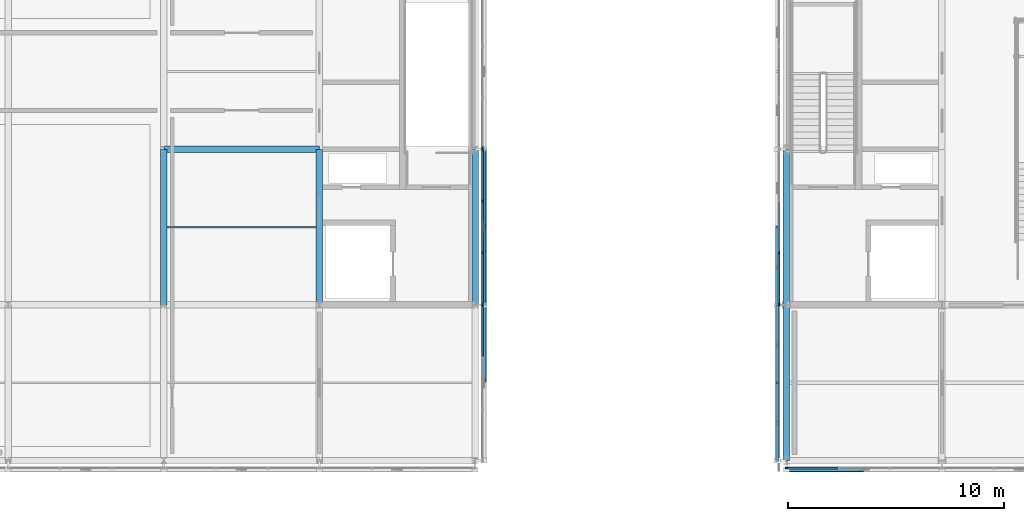
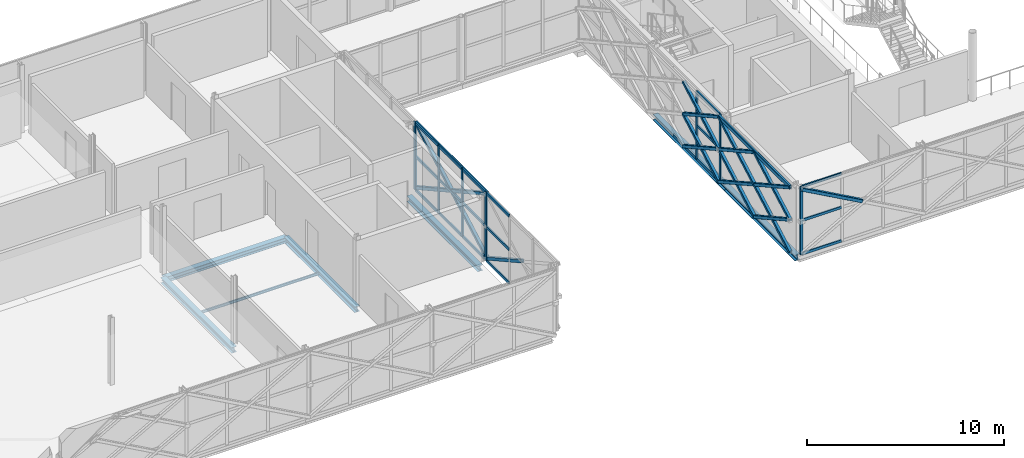
# One storey, part 23 of 126: 53 members, 7 beams, 5 elements without a shape of their own.
"""IFC4 building model written with IfcOpenShell, lengths in metres."""

from ifc_helpers import new_model, si_unit, direction, frame, origin, origin_2d, place, context, subcontext, project, spatial, rectangle, hollow_rectangle, i_section, extrude, material, material_profile, profile_set, type_object, element, aggregate, save


model = new_model("IFC4")

# Units and contexts
model_context = context("Model", 3, precision=1e-05, world=origin(), true_north=direction((0.0, 1.0)))
body_context = subcontext(model_context, "Body", "Model", "MODEL_VIEW")
ifc_project = project(units=[si_unit("LENGTHUNIT", "METRE"), si_unit("AREAUNIT", "SQUARE_METRE"), si_unit("VOLUMEUNIT", "CUBIC_METRE"), si_unit("PLANEANGLEUNIT", "RADIAN"), si_unit("MASSUNIT", "GRAM", prefix="KILO")], contexts=[model_context])

# Site, building, storey
site_placement = place(None, origin())
site = spatial("IfcSite", under=ifc_project, at=site_placement, CompositionType="ELEMENT")
building_placement = place(site_placement, origin())
building = spatial("IfcBuilding", under=site, at=building_placement, Name="Zlatovets Crest Museum", CompositionType="ELEMENT")
storey_placement = place(building_placement, frame((0.0, 0.0, 8.699951171875)))
storey = spatial("IfcBuildingStorey", under=building, at=storey_placement, Name="L02", CompositionType="ELEMENT", Elevation=8.699951171875)

# Beams
ifc_material_1 = material(Name="Structural steel S355J2", Category="steel")
ifc_material_profile_1 = material_profile(ifc_material_1, i_section(OverallWidth=0.300048828125, OverallDepth=0.35009765625, WebThickness=0.010009765625, FlangeThickness=0.017578125, FilletRadius=0.027099609375, at=origin_2d()), Name="HEA 360")
ifc_profile_set_1 = profile_set([ifc_material_profile_1], Name="Structural steel S355J2")
beam_type_1 = type_object("IfcBeamType", Name="Beam_B-03", PredefinedType="BEAM", material=ifc_profile_set_1)
for number, where, z_axis, x_axis, name in (
    (1, (57.60009765625, 0.0, -0.39501953125), (0.0, 1.0, 0.0), (-1.0, 0.0, 0.0), "V2 L02 Grid Beam B-03"),
    (2, (57.60009765625, 7.199951171875, -0.39501953125), (0.0, 1.0, 0.0), (-1.0, 0.0, 0.0), "V2 L02 Grid Beam B-03"),
    (3, (28.800048828125, 7.199951171875, -0.39501953125), (0.0, 1.0, 0.0), (-1.0, 0.0, 0.0), "V3 L02 Grid Beam B-03"),
    (4, (36.0, 7.199951171875, -0.39501953125), (0.0, 1.0, 0.0), (-1.0, 0.0, 0.0), "V3 L02 Grid Beam B-03"),
    (5, (43.199951171875, 7.199951171875, -0.39501953125), (0.0, 1.0, 0.0), (-1.0, 0.0, 0.0), "V3 L02 Grid Beam B-03"),
):
    element("IfcBeam", number, at=place(storey_placement, frame(where, z_axis=z_axis, x_axis=x_axis)), inside=storey, type_object=beam_type_1, Name=name, PredefinedType="BEAM", context=body_context, shape_type="SweptSolid", body=[
        extrude(i_section(OverallWidth=0.300048828125, OverallDepth=0.35009765625, WebThickness=0.010009765625, FlangeThickness=0.017578125, FilletRadius=0.027099609375, at=origin_2d()), origin(), (0.0, 0.0, 1.0), 7.199951171875),
    ])
ifc_material_profile_2 = material_profile(ifc_material_1, i_section(OverallWidth=0.300048828125, OverallDepth=0.330078125, WebThickness=0.009521484375, FlangeThickness=0.0166015625, FilletRadius=0.027099609375, at=origin_2d()), Name="HEA 340")
ifc_profile_set_2 = profile_set([ifc_material_profile_2], Name="Structural steel S355J2")
beam_type_2 = type_object("IfcBeamType", Name="Beam_B-11", PredefinedType="BEAM", material=ifc_profile_set_2)
beam_1_placement = place(storey_placement, frame((28.800048828125, 14.39990234375, -0.385009765625), z_axis=(1.0, 0.0, 0.0), x_axis=(0.0, 1.0, 0.0)))
element("IfcBeam", 6, at=beam_1_placement, inside=storey, type_object=beam_type_2, Name="V3 L02 Primary Girder B-11", PredefinedType="BEAM", context=body_context, shape_type="SweptSolid", body=[
    extrude(i_section(OverallWidth=0.300048828125, OverallDepth=0.330078125, WebThickness=0.009521484375, FlangeThickness=0.0166015625, FilletRadius=0.027099609375, at=origin_2d()), origin(), (0.0, 0.0, 1.0), 7.199951171875),
])
ifc_material_profile_3 = material_profile(ifc_material_1, i_section(OverallWidth=0.08203125, OverallDepth=0.159912109375, WebThickness=0.0048828125, FlangeThickness=0.00732421875, FilletRadius=0.009033203125, at=origin_2d()), Name="IPE 160")
ifc_profile_set_3 = profile_set([ifc_material_profile_3], Name="Structural steel S355J2")
beam_type_3 = type_object("IfcBeamType", Name="Beam_J-12", PredefinedType="JOIST", material=ifc_profile_set_3)
beam_2_placement = place(storey_placement, frame((28.949951171875, 10.800048828125, -0.300048828125), z_axis=(1.0, 0.0, 0.0), x_axis=(0.0, 1.0, 0.0)))
element("IfcBeam", 7, at=beam_2_placement, inside=storey, type_object=beam_type_3, Name="V3 L02 Composite Joist J-12", PredefinedType="JOIST", context=body_context, shape_type="SweptSolid", body=[
    extrude(i_section(OverallWidth=0.08203125, OverallDepth=0.159912109375, WebThickness=0.0048828125, FlangeThickness=0.00732421875, FilletRadius=0.009033203125, at=origin_2d()), origin(), (0.0, 0.0, 1.0), 6.900146484375),
])

# Curtain wall, member
ifc_material_2 = material(Name="Bronze-anodised aluminium and low-E triple glass", Category="aluminium")
curtain_wall_type_1 = type_object("IfcCurtainWallType", Name="CW_CW-V2-L02-M0", PredefinedType="NOTDEFINED", material=ifc_material_2)
curtain_wall_1_placement = place(storey_placement, origin())
curtain_wall_1 = element("IfcCurtainWall", 8, at=curtain_wall_1_placement, inside=storey, type_object=curtain_wall_type_1, Name="V2 L02 Secession Foyer Clear Curtain Wall", PredefinedType="NOTDEFINED")
ifc_material_3 = material(Name="Bronze-anodised aluminium EN AW-6060", Category="aluminium")
ifc_material_profile_4 = material_profile(ifc_material_3, rectangle(XDim=0.080078125, YDim=0.159912109375, at=origin_2d()), Name="ALU 80x160")
ifc_profile_set_4 = profile_set([ifc_material_profile_4], Name="Bronze-anodised aluminium EN AW-6060")
member_type_1 = type_object("IfcMemberType", Name="CWMull_M1", PredefinedType="MULLION", material=ifc_profile_set_4)
member_1_placement = place(storey_placement, frame((57.6298828125, -0.340087890625, 0.0), z_axis=(0.0, 0.0, 1.0), x_axis=(0.0, 1.0, 0.0)))
member_1 = element("IfcMember", 9, at=member_1_placement, type_object=member_type_1, Name="CW-V2-L02-M0 mullion 1", PredefinedType="MULLION", context=body_context, shape_type="SweptSolid", body=[
    extrude(rectangle(XDim=0.080078125, YDim=0.159912109375, at=origin_2d()), origin(), (0.0, 0.0, 1.0), 4.199951171875),
])

# Curtain wall, members
curtain_wall_2_placement = place(storey_placement, origin())
curtain_wall_2 = element("IfcCurtainWall", 10, at=curtain_wall_2_placement, inside=storey, type_object=curtain_wall_type_1, Name="V2 L02 Expressed Core Glazed Facade", PredefinedType="NOTDEFINED")
member_2_placement = place(storey_placement, frame((57.260009765625, 9.60009765625, 0.0), z_axis=(0.0, 0.0, 1.0), x_axis=(1.0, 0.0, 0.0)))
member_2 = element("IfcMember", 11, at=member_2_placement, type_object=member_type_1, Name="CW-V2-L02-M0 mullion 3", PredefinedType="MULLION", context=body_context, shape_type="SweptSolid", body=[
    extrude(rectangle(XDim=0.080078125, YDim=0.159912109375, at=origin_2d()), origin(), (0.0, 0.0, 1.0), 4.199951171875),
])
member_3_placement = place(storey_placement, frame((57.260009765625, 7.22998046875, 0.0), z_axis=(0.0, 0.0, 1.0), x_axis=(1.0, 0.0, 0.0)))
member_3 = element("IfcMember", 12, at=member_3_placement, type_object=member_type_1, Name="CW-V2-L02-M0 mullion 4", PredefinedType="MULLION", context=body_context, shape_type="SweptSolid", body=[
    extrude(rectangle(XDim=0.080078125, YDim=0.159912109375, at=origin_2d()), origin(), (0.0, 0.0, 1.0), 4.199951171875),
])

# Curtain wall, member
curtain_wall_type_2 = type_object("IfcCurtainWallType", Name="CW_CW-V3-L02-M2", PredefinedType="NOTDEFINED", material=ifc_material_2)
curtain_wall_3_placement = place(storey_placement, origin())
curtain_wall_3 = element("IfcCurtainWall", 13, at=curtain_wall_3_placement, inside=storey, type_object=curtain_wall_type_2, Name="V3 L02 Secession Foyer Clear Curtain Wall", PredefinedType="NOTDEFINED")
member_4_placement = place(storey_placement, frame((43.5400390625, 7.169921875, 0.0), z_axis=(0.0, 0.0, 1.0), x_axis=(-1.0, 0.0, 0.0)))
member_4 = element("IfcMember", 14, at=member_4_placement, type_object=member_type_1, Name="CW-V3-L02-M2 mullion 4", PredefinedType="MULLION", context=body_context, shape_type="SweptSolid", body=[
    extrude(rectangle(XDim=0.080078125, YDim=0.159912109375, at=origin_2d()), origin(), (0.0, 0.0, 1.0), 4.199951171875),
])

# Curtain wall, members
curtain_wall_type_3 = type_object("IfcCurtainWallType", Name="CW_CW-V3-L02-M3", PredefinedType="NOTDEFINED", material=ifc_material_2)
curtain_wall_4_placement = place(storey_placement, origin())
curtain_wall_4 = element("IfcCurtainWall", 15, at=curtain_wall_4_placement, inside=storey, type_object=curtain_wall_type_3, Name="V3 L02 Expressed Core Glazed Facade", PredefinedType="NOTDEFINED")
member_5_placement = place(storey_placement, frame((43.5400390625, 7.22998046875, 0.0), z_axis=(0.0, 0.0, 1.0), x_axis=(-1.0, 0.0, 0.0)))
member_5 = element("IfcMember", 16, at=member_5_placement, type_object=member_type_1, Name="CW-V3-L02-M3 mullion 1", PredefinedType="MULLION", context=body_context, shape_type="SweptSolid", body=[
    extrude(rectangle(XDim=0.080078125, YDim=0.159912109375, at=origin_2d()), origin(), (0.0, 0.0, 1.0), 4.199951171875),
])
member_6_placement = place(storey_placement, frame((43.5400390625, 9.60009765625, 0.0), z_axis=(0.0, 0.0, 1.0), x_axis=(-1.0, 0.0, 0.0)))
member_6 = element("IfcMember", 17, at=member_6_placement, type_object=member_type_1, Name="CW-V3-L02-M3 mullion 2", PredefinedType="MULLION", context=body_context, shape_type="SweptSolid", body=[
    extrude(rectangle(XDim=0.080078125, YDim=0.159912109375, at=origin_2d()), origin(), (0.0, 0.0, 1.0), 4.199951171875),
])
member_7_placement = place(storey_placement, frame((43.5400390625, 12.0, 0.0), z_axis=(0.0, 0.0, 1.0), x_axis=(-1.0, 0.0, 0.0)))
member_7 = element("IfcMember", 18, at=member_7_placement, type_object=member_type_1, Name="CW-V3-L02-M3 mullion 3", PredefinedType="MULLION", context=body_context, shape_type="SweptSolid", body=[
    extrude(rectangle(XDim=0.080078125, YDim=0.159912109375, at=origin_2d()), origin(), (0.0, 0.0, 1.0), 4.199951171875),
])
member_8_placement = place(storey_placement, frame((43.5400390625, 14.3701171875, 0.0), z_axis=(0.0, 0.0, 1.0), x_axis=(-1.0, 0.0, 0.0)))
member_8 = element("IfcMember", 19, at=member_8_placement, type_object=member_type_1, Name="CW-V3-L02-M3 mullion 4", PredefinedType="MULLION", context=body_context, shape_type="SweptSolid", body=[
    extrude(rectangle(XDim=0.080078125, YDim=0.159912109375, at=origin_2d()), origin(), (0.0, 0.0, 1.0), 4.199951171875),
])

# Curtain wall, member
curtain_wall_type_4 = type_object("IfcCurtainWallType", Name="CW_CW-V3-L02-M0", PredefinedType="NOTDEFINED", material=ifc_material_2)
curtain_wall_5_placement = place(storey_placement, origin())
curtain_wall_5 = element("IfcCurtainWall", 20, at=curtain_wall_5_placement, inside=storey, type_object=curtain_wall_type_4, Name="V3 L02 Expressed Core Glazed Facade", PredefinedType="NOTDEFINED")
member_9_placement = place(storey_placement, frame((43.5400390625, 14.429931640625, 0.0), z_axis=(0.0, 0.0, 1.0), x_axis=(-1.0, 0.0, 0.0)))
member_9 = element("IfcMember", 21, at=member_9_placement, type_object=member_type_1, Name="CW-V3-L02-M0 mullion 1", PredefinedType="MULLION", context=body_context, shape_type="SweptSolid", body=[
    extrude(rectangle(XDim=0.080078125, YDim=0.159912109375, at=origin_2d()), origin(), (0.0, 0.0, 1.0), 4.199951171875),
])
aggregate(curtain_wall_5, [member_9])

# Member
ifc_material_profile_5 = material_profile(ifc_material_3, rectangle(XDim=0.080078125, YDim=0.159912109375, at=origin_2d()), Name="ALU 80x160")
ifc_profile_set_5 = profile_set([ifc_material_profile_5], Name="Bronze-anodised aluminium EN AW-6060")
member_type_2 = type_object("IfcMemberType", Name="CWTrans_T1", PredefinedType="USERDEFINED", material=ifc_profile_set_5)
member_10_placement = place(storey_placement, frame((57.659912109375, -0.340087890625, 0.030029296875), z_axis=(1.0, 0.0, 0.0), x_axis=(0.0, 1.0, 0.0)))
member_10 = element("IfcMember", 22, at=member_10_placement, type_object=member_type_2, Name="CW-V2-L02-M0 transom 1.1", ObjectType="TRANSOM", PredefinedType="USERDEFINED", context=body_context, shape_type="SweptSolid", body=[
    extrude(rectangle(XDim=0.080078125, YDim=0.159912109375, at=origin_2d()), origin(), (0.0, 0.0, 1.0), 2.31005859375),
])

member_11_placement = place(storey_placement, frame((57.659912109375, -0.340087890625, 2.10009765625), z_axis=(1.0, 0.0, 0.0), x_axis=(0.0, 1.0, 0.0)))
member_11 = element("IfcMember", 23, at=member_11_placement, type_object=member_type_2, Name="CW-V2-L02-M0 transom 1.2", ObjectType="TRANSOM", PredefinedType="USERDEFINED", context=body_context, shape_type="SweptSolid", body=[
    extrude(rectangle(XDim=0.080078125, YDim=0.159912109375, at=origin_2d()), origin(), (0.0, 0.0, 1.0), 2.31005859375),
])

member_12_placement = place(storey_placement, frame((57.659912109375, -0.340087890625, 4.170166015625), z_axis=(1.0, 0.0, 0.0), x_axis=(0.0, 1.0, 0.0)))
member_12 = element("IfcMember", 24, at=member_12_placement, type_object=member_type_2, Name="CW-V2-L02-M0 transom 1.3", ObjectType="TRANSOM", PredefinedType="USERDEFINED", context=body_context, shape_type="SweptSolid", body=[
    extrude(rectangle(XDim=0.080078125, YDim=0.159912109375, at=origin_2d()), origin(), (0.0, 0.0, 1.0), 2.31005859375),
])

aggregate(curtain_wall_1, [member_1, member_10, member_11, member_12])

member_13_placement = place(storey_placement, frame((57.260009765625, 11.969970703125, 0.030029296875), z_axis=(0.0, -1.0, 0.0), x_axis=(1.0, 0.0, 0.0)))
member_13 = element("IfcMember", 25, at=member_13_placement, type_object=member_type_2, Name="CW-V2-L02-M0 transom 2.1", ObjectType="TRANSOM", PredefinedType="USERDEFINED", context=body_context, shape_type="SweptSolid", body=[
    extrude(rectangle(XDim=0.080078125, YDim=0.159912109375, at=origin_2d()), origin(), (0.0, 0.0, 1.0), 2.340087890625),
])

member_14_placement = place(storey_placement, frame((57.260009765625, 9.570068359375, 0.030029296875), z_axis=(0.0, -1.0, 0.0), x_axis=(1.0, 0.0, 0.0)))
member_14 = element("IfcMember", 26, at=member_14_placement, type_object=member_type_2, Name="CW-V2-L02-M0 transom 3.1", ObjectType="TRANSOM", PredefinedType="USERDEFINED", context=body_context, shape_type="SweptSolid", body=[
    extrude(rectangle(XDim=0.080078125, YDim=0.159912109375, at=origin_2d()), origin(), (0.0, 0.0, 1.0), 2.31005859375),
])

member_15_placement = place(storey_placement, frame((57.260009765625, 9.570068359375, 2.10009765625), z_axis=(0.0, -1.0, 0.0), x_axis=(1.0, 0.0, 0.0)))
member_15 = element("IfcMember", 27, at=member_15_placement, type_object=member_type_2, Name="CW-V2-L02-M0 transom 3.2", ObjectType="TRANSOM", PredefinedType="USERDEFINED", context=body_context, shape_type="SweptSolid", body=[
    extrude(rectangle(XDim=0.080078125, YDim=0.159912109375, at=origin_2d()), origin(), (0.0, 0.0, 1.0), 2.31005859375),
])

member_16_placement = place(storey_placement, frame((57.260009765625, 9.570068359375, 4.170166015625), z_axis=(0.0, -1.0, 0.0), x_axis=(1.0, 0.0, 0.0)))
member_16 = element("IfcMember", 28, at=member_16_placement, type_object=member_type_2, Name="CW-V2-L02-M0 transom 3.3", ObjectType="TRANSOM", PredefinedType="USERDEFINED", context=body_context, shape_type="SweptSolid", body=[
    extrude(rectangle(XDim=0.080078125, YDim=0.159912109375, at=origin_2d()), origin(), (0.0, 0.0, 1.0), 2.31005859375),
])

aggregate(curtain_wall_2, [member_2, member_3, member_13, member_14, member_15, member_16])

member_17_placement = place(storey_placement, frame((43.5400390625, 4.830078125, 0.030029296875), z_axis=(0.0, 1.0, 0.0), x_axis=(-1.0, 0.0, 0.0)))
member_17 = element("IfcMember", 29, at=member_17_placement, type_object=member_type_2, Name="CW-V3-L02-M2 transom 3.1", ObjectType="TRANSOM", PredefinedType="USERDEFINED", context=body_context, shape_type="SweptSolid", body=[
    extrude(rectangle(XDim=0.080078125, YDim=0.159912109375, at=origin_2d()), origin(), (0.0, 0.0, 1.0), 2.309814453125),
])

member_18_placement = place(storey_placement, frame((43.5400390625, 4.830078125, 2.10009765625), z_axis=(0.0, 1.0, 0.0), x_axis=(-1.0, 0.0, 0.0)))
member_18 = element("IfcMember", 30, at=member_18_placement, type_object=member_type_2, Name="CW-V3-L02-M2 transom 3.2", ObjectType="TRANSOM", PredefinedType="USERDEFINED", context=body_context, shape_type="SweptSolid", body=[
    extrude(rectangle(XDim=0.080078125, YDim=0.159912109375, at=origin_2d()), origin(), (0.0, 0.0, 1.0), 2.309814453125),
])

member_19_placement = place(storey_placement, frame((43.5400390625, 4.830078125, 4.170166015625), z_axis=(0.0, 1.0, 0.0), x_axis=(-1.0, 0.0, 0.0)))
member_19 = element("IfcMember", 31, at=member_19_placement, type_object=member_type_2, Name="CW-V3-L02-M2 transom 3.3", ObjectType="TRANSOM", PredefinedType="USERDEFINED", context=body_context, shape_type="SweptSolid", body=[
    extrude(rectangle(XDim=0.080078125, YDim=0.159912109375, at=origin_2d()), origin(), (0.0, 0.0, 1.0), 2.309814453125),
])

aggregate(curtain_wall_3, [member_4, member_17, member_18, member_19])

member_20_placement = place(storey_placement, frame((43.5400390625, 7.260009765625, 0.030029296875), z_axis=(0.0, 1.0, 0.0), x_axis=(-1.0, 0.0, 0.0)))
member_20 = element("IfcMember", 32, at=member_20_placement, type_object=member_type_2, Name="CW-V3-L02-M3 transom 1.1", ObjectType="TRANSOM", PredefinedType="USERDEFINED", context=body_context, shape_type="SweptSolid", body=[
    extrude(rectangle(XDim=0.080078125, YDim=0.159912109375, at=origin_2d()), origin(), (0.0, 0.0, 1.0), 2.31005859375),
])

member_21_placement = place(storey_placement, frame((43.5400390625, 7.260009765625, 2.10009765625), z_axis=(0.0, 1.0, 0.0), x_axis=(-1.0, 0.0, 0.0)))
member_21 = element("IfcMember", 33, at=member_21_placement, type_object=member_type_2, Name="CW-V3-L02-M3 transom 1.2", ObjectType="TRANSOM", PredefinedType="USERDEFINED", context=body_context, shape_type="SweptSolid", body=[
    extrude(rectangle(XDim=0.080078125, YDim=0.159912109375, at=origin_2d()), origin(), (0.0, 0.0, 1.0), 2.31005859375),
])

member_22_placement = place(storey_placement, frame((43.5400390625, 7.260009765625, 4.170166015625), z_axis=(0.0, 1.0, 0.0), x_axis=(-1.0, 0.0, 0.0)))
member_22 = element("IfcMember", 34, at=member_22_placement, type_object=member_type_2, Name="CW-V3-L02-M3 transom 1.3", ObjectType="TRANSOM", PredefinedType="USERDEFINED", context=body_context, shape_type="SweptSolid", body=[
    extrude(rectangle(XDim=0.080078125, YDim=0.159912109375, at=origin_2d()), origin(), (0.0, 0.0, 1.0), 2.31005859375),
])

member_23_placement = place(storey_placement, frame((43.5400390625, 9.6298828125, 0.030029296875), z_axis=(0.0, 1.0, 0.0), x_axis=(-1.0, 0.0, 0.0)))
member_23 = element("IfcMember", 35, at=member_23_placement, type_object=member_type_2, Name="CW-V3-L02-M3 transom 2.1", ObjectType="TRANSOM", PredefinedType="USERDEFINED", context=body_context, shape_type="SweptSolid", body=[
    extrude(rectangle(XDim=0.080078125, YDim=0.159912109375, at=origin_2d()), origin(), (0.0, 0.0, 1.0), 2.340087890625),
])

member_24_placement = place(storey_placement, frame((43.5400390625, 9.6298828125, 2.10009765625), z_axis=(0.0, 1.0, 0.0), x_axis=(-1.0, 0.0, 0.0)))
member_24 = element("IfcMember", 36, at=member_24_placement, type_object=member_type_2, Name="CW-V3-L02-M3 transom 2.2", ObjectType="TRANSOM", PredefinedType="USERDEFINED", context=body_context, shape_type="SweptSolid", body=[
    extrude(rectangle(XDim=0.080078125, YDim=0.159912109375, at=origin_2d()), origin(), (0.0, 0.0, 1.0), 2.340087890625),
])

member_25_placement = place(storey_placement, frame((43.5400390625, 9.6298828125, 4.170166015625), z_axis=(0.0, 1.0, 0.0), x_axis=(-1.0, 0.0, 0.0)))
member_25 = element("IfcMember", 37, at=member_25_placement, type_object=member_type_2, Name="CW-V3-L02-M3 transom 2.3", ObjectType="TRANSOM", PredefinedType="USERDEFINED", context=body_context, shape_type="SweptSolid", body=[
    extrude(rectangle(XDim=0.080078125, YDim=0.159912109375, at=origin_2d()), origin(), (0.0, 0.0, 1.0), 2.340087890625),
])

member_26_placement = place(storey_placement, frame((43.5400390625, 12.030029296875, 0.030029296875), z_axis=(0.0, 1.0, 0.0), x_axis=(-1.0, 0.0, 0.0)))
member_26 = element("IfcMember", 38, at=member_26_placement, type_object=member_type_2, Name="CW-V3-L02-M3 transom 3.1", ObjectType="TRANSOM", PredefinedType="USERDEFINED", context=body_context, shape_type="SweptSolid", body=[
    extrude(rectangle(XDim=0.080078125, YDim=0.159912109375, at=origin_2d()), origin(), (0.0, 0.0, 1.0), 2.31005859375),
])

member_27_placement = place(storey_placement, frame((43.5400390625, 12.030029296875, 2.10009765625), z_axis=(0.0, 1.0, 0.0), x_axis=(-1.0, 0.0, 0.0)))
member_27 = element("IfcMember", 39, at=member_27_placement, type_object=member_type_2, Name="CW-V3-L02-M3 transom 3.2", ObjectType="TRANSOM", PredefinedType="USERDEFINED", context=body_context, shape_type="SweptSolid", body=[
    extrude(rectangle(XDim=0.080078125, YDim=0.159912109375, at=origin_2d()), origin(), (0.0, 0.0, 1.0), 2.31005859375),
])

member_28_placement = place(storey_placement, frame((43.5400390625, 12.030029296875, 4.170166015625), z_axis=(0.0, 1.0, 0.0), x_axis=(-1.0, 0.0, 0.0)))
member_28 = element("IfcMember", 40, at=member_28_placement, type_object=member_type_2, Name="CW-V3-L02-M3 transom 3.3", ObjectType="TRANSOM", PredefinedType="USERDEFINED", context=body_context, shape_type="SweptSolid", body=[
    extrude(rectangle(XDim=0.080078125, YDim=0.159912109375, at=origin_2d()), origin(), (0.0, 0.0, 1.0), 2.31005859375),
])

aggregate(curtain_wall_4, [member_5, member_6, member_7, member_8, member_20, member_21, member_22, member_23, member_24, member_25, member_26, member_27, member_28])

# Members
ifc_material_4 = material(Name="Weathering bronze-steel S355J2W", Category="steel")
ifc_material_profile_6 = material_profile(ifc_material_4, hollow_rectangle(XDim=0.179931640625, YDim=0.179931640625, WallThickness=0.010009765625, InnerFilletRadius=0.010009765625, OuterFilletRadius=0.02001953125, at=origin_2d()), Name="SHS 180x180x10.0")
ifc_profile_set_6 = profile_set([ifc_material_profile_6], Name="Weathering bronze-steel S355J2W")
member_type_3 = type_object("IfcMemberType", Name="Lattice_XL-01", PredefinedType="BRACE", material=ifc_profile_set_6)
member_29_placement = place(storey_placement, frame((57.179931640625, 10.800048828125, 0.10009765625), z_axis=(0.0, -0.874162868644, 0.485632864501), x_axis=(1.0, 0.0, 0.0)))
element("IfcMember", 41, at=member_29_placement, inside=storey, type_object=member_type_3, Name="Continuous Bronze Lattice Diagonal", PredefinedType="BRACE", context=body_context, shape_type="SweptSolid", body=[
    extrude(hollow_rectangle(XDim=0.179931640625, YDim=0.179931640625, WallThickness=0.010009765625, InnerFilletRadius=0.010009765625, OuterFilletRadius=0.02001953125, at=origin_2d()), origin(), (0.0, 0.0, 1.0), 4.118408203125),
])
for number, where, z_axis, x_axis, name in (
    (42, (57.179931640625, 10.800048828125, 2.10009765625), (0.0, -0.874169001841, -0.485621824284), (1.0, 0.0, 0.0), "Split Crossing Bronze Lattice Diagonal Upper"),
    (43, (57.179931640625, 8.9169921875, 1.053955078125), (0.0, -0.874169001841, -0.485621824284), (1.0, 0.0, 0.0), "Split Crossing Bronze Lattice Diagonal Lower"),
):
    element("IfcMember", number, at=place(storey_placement, frame(where, z_axis=z_axis, x_axis=x_axis)), inside=storey, type_object=member_type_3, Name=name, PredefinedType="BRACE", context=body_context, shape_type="SweptSolid", body=[
        extrude(hollow_rectangle(XDim=0.179931640625, YDim=0.179931640625, WallThickness=0.010009765625, InnerFilletRadius=0.010009765625, OuterFilletRadius=0.02001953125, at=origin_2d()), origin(), (0.0, 0.0, 1.0), 1.964111328125),
    ])
member_30_placement = place(storey_placement, frame((57.179931640625, 10.800048828125, 2.10009765625), z_axis=(0.0, -0.874162868644, 0.485632864501), x_axis=(1.0, 0.0, 0.0)))
element("IfcMember", 44, at=member_30_placement, inside=storey, type_object=member_type_3, Name="Continuous Bronze Lattice Diagonal", PredefinedType="BRACE", context=body_context, shape_type="SweptSolid", body=[
    extrude(hollow_rectangle(XDim=0.179931640625, YDim=0.179931640625, WallThickness=0.010009765625, InnerFilletRadius=0.010009765625, OuterFilletRadius=0.02001953125, at=origin_2d()), origin(), (0.0, 0.0, 1.0), 4.118408203125),
])
for number, where, z_axis, x_axis, name in (
    (45, (57.179931640625, 10.800048828125, 4.10009765625), (0.0, -0.874169001841, -0.485621824284), (1.0, 0.0, 0.0), "Split Crossing Bronze Lattice Diagonal Upper"),
    (46, (57.179931640625, 8.9169921875, 3.053955078125), (0.0, -0.874169001841, -0.485621824284), (1.0, 0.0, 0.0), "Split Crossing Bronze Lattice Diagonal Lower"),
):
    element("IfcMember", number, at=place(storey_placement, frame(where, z_axis=z_axis, x_axis=x_axis)), inside=storey, type_object=member_type_3, Name=name, PredefinedType="BRACE", context=body_context, shape_type="SweptSolid", body=[
        extrude(hollow_rectangle(XDim=0.179931640625, YDim=0.179931640625, WallThickness=0.010009765625, InnerFilletRadius=0.010009765625, OuterFilletRadius=0.02001953125, at=origin_2d()), origin(), (0.0, 0.0, 1.0), 1.964111328125),
    ])
member_31_placement = place(storey_placement, frame((57.179931640625, 7.199951171875, 0.10009765625), z_axis=(0.0, -0.874148886685, 0.485658031857), x_axis=(1.0, 0.0, 0.0)))
element("IfcMember", 47, at=member_31_placement, inside=storey, type_object=member_type_3, Name="Continuous Bronze Lattice Diagonal", PredefinedType="BRACE", context=body_context, shape_type="SweptSolid", body=[
    extrude(hollow_rectangle(XDim=0.179931640625, YDim=0.179931640625, WallThickness=0.010009765625, InnerFilletRadius=0.010009765625, OuterFilletRadius=0.02001953125, at=origin_2d()), origin(), (0.0, 0.0, 1.0), 4.1181640625),
])
member_32_placement = place(storey_placement, frame((57.179931640625, 7.199951171875, 2.10009765625), z_axis=(0.0, -0.874169001841, -0.485621824284), x_axis=(1.0, 0.0, 0.0)))
element("IfcMember", 48, at=member_32_placement, inside=storey, type_object=member_type_3, Name="Split Crossing Bronze Lattice Diagonal Upper", PredefinedType="BRACE", context=body_context, shape_type="SweptSolid", body=[
    extrude(hollow_rectangle(XDim=0.179931640625, YDim=0.179931640625, WallThickness=0.010009765625, InnerFilletRadius=0.010009765625, OuterFilletRadius=0.02001953125, at=origin_2d()), origin(), (0.0, 0.0, 1.0), 1.964111328125),
])
member_33_placement = place(storey_placement, frame((57.179931640625, 5.31689453125, 1.053955078125), z_axis=(0.0, -0.874139684676, -0.48567459443), x_axis=(1.0, 0.0, 0.0)))
element("IfcMember", 49, at=member_33_placement, inside=storey, type_object=member_type_3, Name="Split Crossing Bronze Lattice Diagonal Lower", PredefinedType="BRACE", context=body_context, shape_type="SweptSolid", body=[
    extrude(hollow_rectangle(XDim=0.179931640625, YDim=0.179931640625, WallThickness=0.010009765625, InnerFilletRadius=0.010009765625, OuterFilletRadius=0.02001953125, at=origin_2d()), origin(), (0.0, 0.0, 1.0), 1.9638671875),
])
member_34_placement = place(storey_placement, frame((57.179931640625, 3.60009765625, 0.10009765625), z_axis=(0.0, -0.874162868644, 0.485632864501), x_axis=(1.0, 0.0, 0.0)))
element("IfcMember", 50, at=member_34_placement, inside=storey, type_object=member_type_3, Name="Continuous Bronze Lattice Diagonal", PredefinedType="BRACE", context=body_context, shape_type="SweptSolid", body=[
    extrude(hollow_rectangle(XDim=0.179931640625, YDim=0.179931640625, WallThickness=0.010009765625, InnerFilletRadius=0.010009765625, OuterFilletRadius=0.02001953125, at=origin_2d()), origin(), (0.0, 0.0, 1.0), 4.118408203125),
])
for number, where, z_axis, x_axis, name in (
    (51, (57.179931640625, 3.60009765625, 2.10009765625), (0.0, -0.874169001841, -0.485621824284), (1.0, 0.0, 0.0), "Split Crossing Bronze Lattice Diagonal Upper"),
    (52, (57.179931640625, 1.717041015625, 1.053955078125), (0.0, -0.874169001841, -0.485621824284), (1.0, 0.0, 0.0), "Split Crossing Bronze Lattice Diagonal Lower"),
):
    element("IfcMember", number, at=place(storey_placement, frame(where, z_axis=z_axis, x_axis=x_axis)), inside=storey, type_object=member_type_3, Name=name, PredefinedType="BRACE", context=body_context, shape_type="SweptSolid", body=[
        extrude(hollow_rectangle(XDim=0.179931640625, YDim=0.179931640625, WallThickness=0.010009765625, InnerFilletRadius=0.010009765625, OuterFilletRadius=0.02001953125, at=origin_2d()), origin(), (0.0, 0.0, 1.0), 1.964111328125),
    ])
member_35_placement = place(storey_placement, frame((57.179931640625, 7.199951171875, 2.10009765625), z_axis=(0.0, -0.874148886685, 0.485658031857), x_axis=(1.0, 0.0, 0.0)))
element("IfcMember", 53, at=member_35_placement, inside=storey, type_object=member_type_3, Name="Continuous Bronze Lattice Diagonal", PredefinedType="BRACE", context=body_context, shape_type="SweptSolid", body=[
    extrude(hollow_rectangle(XDim=0.179931640625, YDim=0.179931640625, WallThickness=0.010009765625, InnerFilletRadius=0.010009765625, OuterFilletRadius=0.02001953125, at=origin_2d()), origin(), (0.0, 0.0, 1.0), 4.1181640625),
])
member_36_placement = place(storey_placement, frame((57.179931640625, 7.199951171875, 4.10009765625), z_axis=(0.0, -0.874169001841, -0.485621824284), x_axis=(1.0, 0.0, 0.0)))
element("IfcMember", 54, at=member_36_placement, inside=storey, type_object=member_type_3, Name="Split Crossing Bronze Lattice Diagonal Upper", PredefinedType="BRACE", context=body_context, shape_type="SweptSolid", body=[
    extrude(hollow_rectangle(XDim=0.179931640625, YDim=0.179931640625, WallThickness=0.010009765625, InnerFilletRadius=0.010009765625, OuterFilletRadius=0.02001953125, at=origin_2d()), origin(), (0.0, 0.0, 1.0), 1.964111328125),
])
member_37_placement = place(storey_placement, frame((57.179931640625, 5.31689453125, 3.053955078125), z_axis=(0.0, -0.874139684676, -0.48567459443), x_axis=(1.0, 0.0, 0.0)))
element("IfcMember", 55, at=member_37_placement, inside=storey, type_object=member_type_3, Name="Split Crossing Bronze Lattice Diagonal Lower", PredefinedType="BRACE", context=body_context, shape_type="SweptSolid", body=[
    extrude(hollow_rectangle(XDim=0.179931640625, YDim=0.179931640625, WallThickness=0.010009765625, InnerFilletRadius=0.010009765625, OuterFilletRadius=0.02001953125, at=origin_2d()), origin(), (0.0, 0.0, 1.0), 1.9638671875),
])
member_38_placement = place(storey_placement, frame((57.179931640625, 3.60009765625, 2.10009765625), z_axis=(0.0, -0.874162868644, 0.485632864501), x_axis=(1.0, 0.0, 0.0)))
element("IfcMember", 56, at=member_38_placement, inside=storey, type_object=member_type_3, Name="Continuous Bronze Lattice Diagonal", PredefinedType="BRACE", context=body_context, shape_type="SweptSolid", body=[
    extrude(hollow_rectangle(XDim=0.179931640625, YDim=0.179931640625, WallThickness=0.010009765625, InnerFilletRadius=0.010009765625, OuterFilletRadius=0.02001953125, at=origin_2d()), origin(), (0.0, 0.0, 1.0), 4.118408203125),
])
for number, where, z_axis, x_axis, name in (
    (57, (57.179931640625, 3.60009765625, 4.10009765625), (0.0, -0.874169001841, -0.485621824284), (1.0, 0.0, 0.0), "Split Crossing Bronze Lattice Diagonal Upper"),
    (58, (57.179931640625, 1.717041015625, 3.053955078125), (0.0, -0.874169001841, -0.485621824284), (1.0, 0.0, 0.0), "Split Crossing Bronze Lattice Diagonal Lower"),
):
    element("IfcMember", number, at=place(storey_placement, frame(where, z_axis=z_axis, x_axis=x_axis)), inside=storey, type_object=member_type_3, Name=name, PredefinedType="BRACE", context=body_context, shape_type="SweptSolid", body=[
        extrude(hollow_rectangle(XDim=0.179931640625, YDim=0.179931640625, WallThickness=0.010009765625, InnerFilletRadius=0.010009765625, OuterFilletRadius=0.02001953125, at=origin_2d()), origin(), (0.0, 0.0, 1.0), 1.964111328125),
    ])
ifc_material_profile_7 = material_profile(ifc_material_4, hollow_rectangle(XDim=0.199951171875, YDim=0.199951171875, WallThickness=0.012451171875, InnerFilletRadius=0.012451171875, OuterFilletRadius=0.02490234375, at=origin_2d()), Name="SHS 200x200x12.5")
ifc_profile_set_7 = profile_set([ifc_material_profile_7], Name="Weathering bronze-steel S355J2W")
member_type_4 = type_object("IfcMemberType", Name="Lattice_XL-02", PredefinedType="BRACE", material=ifc_profile_set_7)
for number, where, z_axis, x_axis, name in (
    (59, (57.60009765625, -0.419921875, 4.10009765625), (0.874151551165, 0.0, -0.485653235958), (0.0, 1.0, 0.0), "Split Crossing Bronze Lattice Diagonal Upper"),
    (60, (43.6201171875, 3.68310546875, 2.053955078125), (0.0, 0.874151551165, -0.485653235958), (-1.0, 0.0, 0.0), "Split Crossing Bronze Lattice Diagonal Lower"),
):
    element("IfcMember", number, at=place(storey_placement, frame(where, z_axis=z_axis, x_axis=x_axis)), inside=storey, type_object=member_type_4, Name=name, PredefinedType="BRACE", context=body_context, shape_type="SweptSolid", body=[
        extrude(hollow_rectangle(XDim=0.199951171875, YDim=0.199951171875, WallThickness=0.012451171875, InnerFilletRadius=0.012451171875, OuterFilletRadius=0.02490234375, at=origin_2d()), origin(), (0.0, 0.0, 1.0), 4.023193359375),
    ])
member_39_placement = place(storey_placement, frame((43.6201171875, 7.199951171875, 0.10009765625), z_axis=(0.0, 0.874155877937, 0.485645447903), x_axis=(-1.0, 0.0, 0.0)))
element("IfcMember", 61, at=member_39_placement, inside=storey, type_object=member_type_4, Name="Continuous Bronze Lattice Diagonal", PredefinedType="BRACE", context=body_context, shape_type="SweptSolid", body=[
    extrude(hollow_rectangle(XDim=0.199951171875, YDim=0.199951171875, WallThickness=0.012451171875, InnerFilletRadius=0.012451171875, OuterFilletRadius=0.02490234375, at=origin_2d()), origin(), (0.0, 0.0, 1.0), 8.236572265625),
])
member_40_placement = place(storey_placement, frame((43.6201171875, 7.199951171875, 4.10009765625), z_axis=(0.0, 0.874165862873, -0.485627474703), x_axis=(-1.0, 0.0, 0.0)))
element("IfcMember", 62, at=member_40_placement, inside=storey, type_object=member_type_4, Name="Split Crossing Bronze Lattice Diagonal Upper", PredefinedType="BRACE", context=body_context, shape_type="SweptSolid", body=[
    extrude(hollow_rectangle(XDim=0.199951171875, YDim=0.199951171875, WallThickness=0.012451171875, InnerFilletRadius=0.012451171875, OuterFilletRadius=0.02490234375, at=origin_2d()), origin(), (0.0, 0.0, 1.0), 4.0234375),
])
member_41_placement = place(storey_placement, frame((43.6201171875, 10.883056640625, 2.053955078125), z_axis=(0.0, 0.874151551165, -0.485653235958), x_axis=(-1.0, 0.0, 0.0)))
element("IfcMember", 63, at=member_41_placement, inside=storey, type_object=member_type_4, Name="Split Crossing Bronze Lattice Diagonal Lower", PredefinedType="BRACE", context=body_context, shape_type="SweptSolid", body=[
    extrude(hollow_rectangle(XDim=0.199951171875, YDim=0.199951171875, WallThickness=0.012451171875, InnerFilletRadius=0.012451171875, OuterFilletRadius=0.02490234375, at=origin_2d()), origin(), (0.0, 0.0, 1.0), 4.023193359375),
])
ifc_material_profile_8 = material_profile(ifc_material_4, hollow_rectangle(XDim=0.1201171875, YDim=0.239990234375, WallThickness=0.010009765625, InnerFilletRadius=0.010009765625, OuterFilletRadius=0.02001953125, at=origin_2d()), Name="RHS 120x240x10.0")
ifc_profile_set_8 = profile_set([ifc_material_profile_8], Name="Weathering bronze-steel S355J2W")
member_type_5 = type_object("IfcMemberType", Name="Lattice_XL-04", PredefinedType="CHORD", material=ifc_profile_set_8)
for number, where, z_axis, x_axis, name in (
    (64, (57.179931640625, 7.199951171875, 4.10009765625), (0.0, -1.0, 0.0), (1.0, 0.0, 0.0), "Art Nouveau Woven Cage Collector Ring Chord"),
    (65, (43.6201171875, 7.199951171875, 4.10009765625), (0.0, 1.0, 0.0), (-1.0, 0.0, 0.0), "Art Nouveau Woven Cage Collector Ring Chord"),
):
    element("IfcMember", number, at=place(storey_placement, frame(where, z_axis=z_axis, x_axis=x_axis)), inside=storey, type_object=member_type_5, Name=name, PredefinedType="CHORD", context=body_context, shape_type="SweptSolid", body=[
        extrude(hollow_rectangle(XDim=0.1201171875, YDim=0.239990234375, WallThickness=0.010009765625, InnerFilletRadius=0.010009765625, OuterFilletRadius=0.02001953125, at=origin_2d()), origin(), (0.0, 0.0, 1.0), 7.199951171875),
    ])

save(model, "model.ifc")
